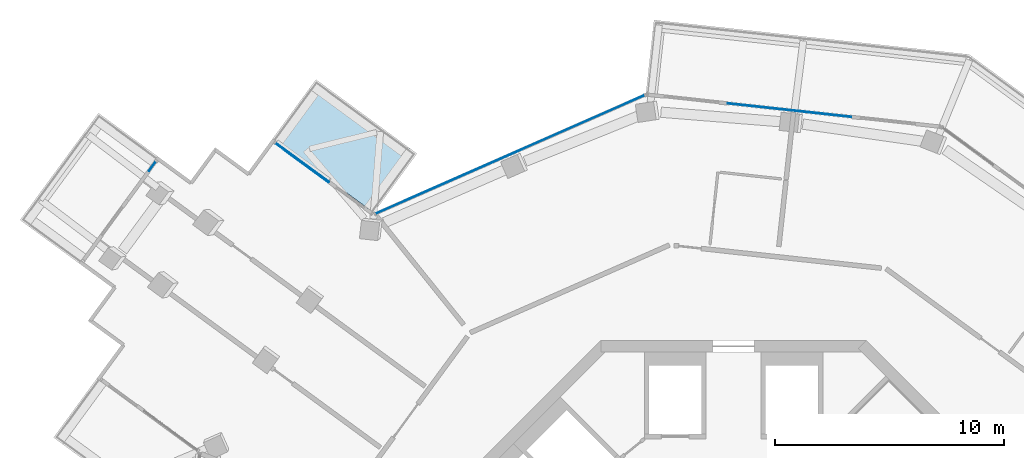
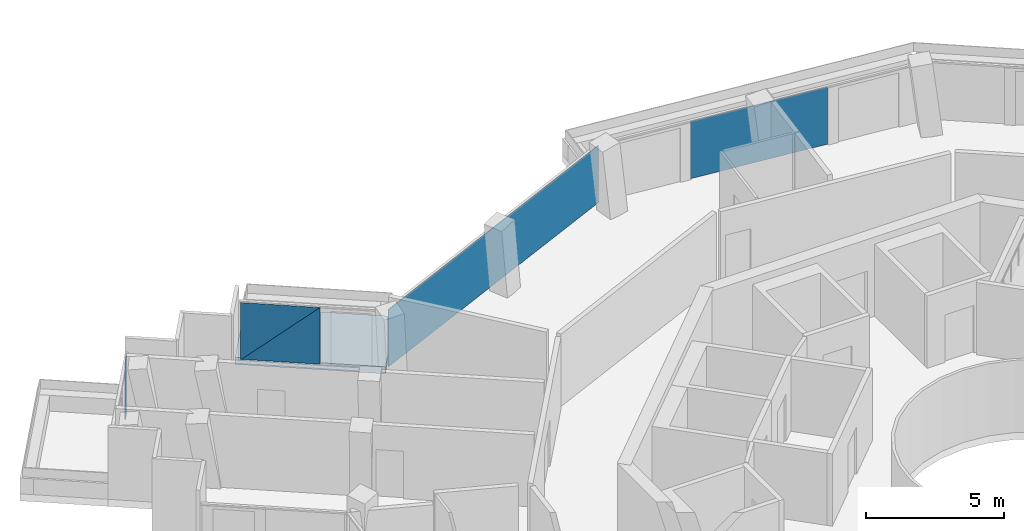
# One storey, part 12 of 22: 5 plates, 1 slab, 4 elements without a shape of their own.
"""IFC4 building model written with IfcOpenShell, lengths in metres."""

from ifc_helpers import new_model, si_unit, direction, frame, origin, origin_2d, place, context, subcontext, project, spatial, polyline, rectangle, outline, extrude, material, layer, layer_set, type_object, element, aggregate, save


model = new_model("IFC4")

# Units and contexts
model_context = context("Model", 3, precision=1e-05, world=origin(), true_north=direction((0.0, 1.0)))
body_context = subcontext(model_context, "Body", "Model", "MODEL_VIEW")
ifc_project = project(units=[si_unit("LENGTHUNIT", "METRE"), si_unit("AREAUNIT", "SQUARE_METRE"), si_unit("VOLUMEUNIT", "CUBIC_METRE"), si_unit("PLANEANGLEUNIT", "RADIAN"), si_unit("MASSUNIT", "GRAM", prefix="KILO")], contexts=[model_context])

# Site, building, storey
site_placement = place(None, origin())
site = spatial("IfcSite", under=ifc_project, at=site_placement, CompositionType="ELEMENT")
building_placement = place(site_placement, origin())
building = spatial("IfcBuilding", under=site, at=building_placement, Name="Verdalira Terraces Hotel", CompositionType="ELEMENT")
storey_placement = place(building_placement, frame((0.0, 0.0, 252.5)))
storey = spatial("IfcBuildingStorey", under=building, at=storey_placement, Name="L62", CompositionType="ELEMENT", Elevation=252.5)

# Slab
ifc_material_1 = material(Name="Precast concrete C40/50", Category="concrete")
ifc_layer_1 = layer(ifc_material_1, 0.31005859375)
ifc_layer_set_1 = layer_set([ifc_layer_1], Name="Balcony deck 310")
slab_type = type_object("IfcSlabType", Name="Balcony deck 310", PredefinedType="FLOOR", material=ifc_layer_set_1)
slab_placement = place(storey_placement, frame((0.0, 0.0, -0.310059)))
element("IfcSlab", 1, at=slab_placement, inside=storey, type_object=slab_type, Name="Balcony deck", PredefinedType="FLOOR", context=body_context, shape_type="SweptSolid", body=[
    extrude(outline(polyline([(-18.248535, 25.4021), (-20.140137, 22.821045), (-15.7229, 19.583252), (-13.831055, 22.164307), (-18.248535, 25.4021)])), origin(), (0.0, 0.0, 1.0), 0.310059),
])

# Curtain wall, plate
ifc_material_2 = material(Name="Clear glass", Category="glass")
ifc_layer_2 = layer(ifc_material_2, 0.14990234375)
ifc_layer_set_2 = layer_set([ifc_layer_2], Name="CW1 curtain wall")
curtain_wall_type_1 = type_object("IfcCurtainWallType", Name="CW1 curtain wall", PredefinedType="NOTDEFINED", material=ifc_layer_set_2)
curtain_wall_1_placement = place(storey_placement, origin())
curtain_wall_1 = element("IfcCurtainWall", 2, at=curtain_wall_1_placement, inside=storey, type_object=curtain_wall_type_1, Name="CW1 curtain wall L62 edge 40", PredefinedType="NOTDEFINED")
ifc_material_3 = material(Name="Clear glass", Category="glass")
ifc_layer_3 = layer(ifc_material_3, 0.028076171875)
ifc_layer_set_3 = layer_set([ifc_layer_3], Name="CW1 glass unit 28")
plate_type_1 = type_object("IfcPlateType", Name="CW1 glass unit 28", PredefinedType="CURTAIN_PANEL", material=ifc_layer_set_3)
plate_1_placement = place(storey_placement, frame((2.450195, 24.05957, 0.0), z_axis=(0.0, 0.0, 1.0), x_axis=(-0.994075324, 0.108693378, 0.0)))
plate_1 = element("IfcPlate", 3, at=plate_1_placement, type_object=plate_type_1, Name="CW1 glass unit", PredefinedType="CURTAIN_PANEL", context=body_context, shape_type="SweptSolid", body=[
    extrude(rectangle(XDim=5.432373, YDim=0.028076, at=origin_2d()), origin(), (0.0, 0.0, 1.0), 2.524902),
])
aggregate(curtain_wall_1, [plate_1])

curtain_wall_2_placement = place(storey_placement, origin())
curtain_wall_2 = element("IfcCurtainWall", 4, at=curtain_wall_2_placement, inside=storey, type_object=curtain_wall_type_1, Name="CW1 curtain wall L62 edge 41", PredefinedType="NOTDEFINED")
plate_2_placement = place(storey_placement, frame((-9.761963, 22.125488, 0.0), z_axis=(0.0, 0.0, 1.0), x_axis=(-0.915241173, -0.402906436, 0.0)))
plate_2 = element("IfcPlate", 5, at=plate_2_placement, type_object=plate_type_1, Name="CW1 glass unit", PredefinedType="CURTAIN_PANEL", context=body_context, shape_type="SweptSolid", body=[
    extrude(rectangle(XDim=12.839844, YDim=0.028076, at=origin_2d()), origin(), (0.0, 0.0, 1.0), 2.524902),
])
aggregate(curtain_wall_2, [plate_2])

# Curtain wall, plates
ifc_material_4 = material(Name="Clear glass", Category="glass")
ifc_layer_4 = layer(ifc_material_4, 0.14990234375)
ifc_layer_set_4 = layer_set([ifc_layer_4], Name="CW2 curtain wall")
curtain_wall_type_2 = type_object("IfcCurtainWallType", Name="CW2 curtain wall", PredefinedType="NOTDEFINED", material=ifc_layer_set_4)
curtain_wall_3_placement = place(storey_placement, origin())
curtain_wall_3 = element("IfcCurtainWall", 6, at=curtain_wall_3_placement, inside=storey, type_object=curtain_wall_type_2, Name="CW2 curtain wall L62 edge 0", PredefinedType="NOTDEFINED")
ifc_material_5 = material(Name="Clear glass", Category="glass")
ifc_layer_5 = layer(ifc_material_5, 0.031982421875)
ifc_layer_set_5 = layer_set([ifc_layer_5], Name="CW2 glass unit 32")
plate_type_2 = type_object("IfcPlateType", Name="CW2 glass unit 32", PredefinedType="CURTAIN_PANEL", material=ifc_layer_set_5)
plate_3_placement = place(storey_placement, frame((-18.852539, 21.76416, 1.262451), z_axis=(0.591168888, 0.806547795, 0.0), x_axis=(-0.806547795, 0.591168888, 0.0)))
plate_3 = element("IfcPlate", 7, at=plate_3_placement, type_object=plate_type_2, Name="CW2 glass unit", PredefinedType="CURTAIN_PANEL", context=body_context, shape_type="SweptSolid", body=[
    extrude(outline(polyline([(-1.443359, -1.262451), (1.443359, -1.262451), (-1.443359, 1.262451), (-1.443359, -1.262451)])), origin(), (0.0, 0.0, 1.0), 0.031982),
])
plate_4_placement = place(storey_placement, frame((-18.87207, 21.737549, 1.262451), z_axis=(0.591168888, 0.806547795, 0.0), x_axis=(-0.806547795, 0.591168888, 0.0)))
plate_4 = element("IfcPlate", 8, at=plate_4_placement, type_object=plate_type_2, Name="CW2 glass unit", PredefinedType="CURTAIN_PANEL", context=body_context, shape_type="SweptSolid", body=[
    extrude(outline(polyline([(1.443359, -1.262451), (1.443359, 1.262451), (-1.443359, 1.262451), (1.443359, -1.262451)])), origin(), (0.0, 0.0, 1.0), 0.031982),
])
aggregate(curtain_wall_3, [plate_3, plate_4])

# Curtain wall, plate
ifc_material_6 = material(Name="Clear glass", Category="glass")
ifc_layer_6 = layer(ifc_material_6, 0.14990234375)
ifc_layer_set_6 = layer_set([ifc_layer_6], Name="CW3 curtain wall")
curtain_wall_type_3 = type_object("IfcCurtainWallType", Name="CW3 curtain wall", PredefinedType="NOTDEFINED", material=ifc_layer_set_6)
curtain_wall_4_placement = place(storey_placement, origin())
curtain_wall_4 = element("IfcCurtainWall", 9, at=curtain_wall_4_placement, inside=storey, type_object=curtain_wall_type_3, Name="CW3 curtain wall L62 edge 5", PredefinedType="NOTDEFINED")
ifc_material_7 = material(Name="Clear glass", Category="glass")
ifc_layer_7 = layer(ifc_material_7, 0.035888671875)
ifc_layer_set_7 = layer_set([ifc_layer_7], Name="CW3 glass unit 36")
plate_type_3 = type_object("IfcPlateType", Name="CW3 glass unit 36", PredefinedType="CURTAIN_PANEL", material=ifc_layer_set_7)
plate_5_placement = place(storey_placement, frame((-25.398193, 21.610107, 0.0), z_axis=(0.0, 0.0, 1.0), x_axis=(-0.591168888, -0.806547795, 0.0)))
plate_5 = element("IfcPlate", 10, at=plate_5_placement, type_object=plate_type_3, Name="CW3 glass unit", PredefinedType="CURTAIN_PANEL", context=body_context, shape_type="SweptSolid", body=[
    extrude(rectangle(XDim=0.51001, YDim=0.035889, at=origin_2d()), origin(), (0.0, 0.0, 1.0), 2.524902),
])
aggregate(curtain_wall_4, [plate_5])

save(model, "model.ifc")
